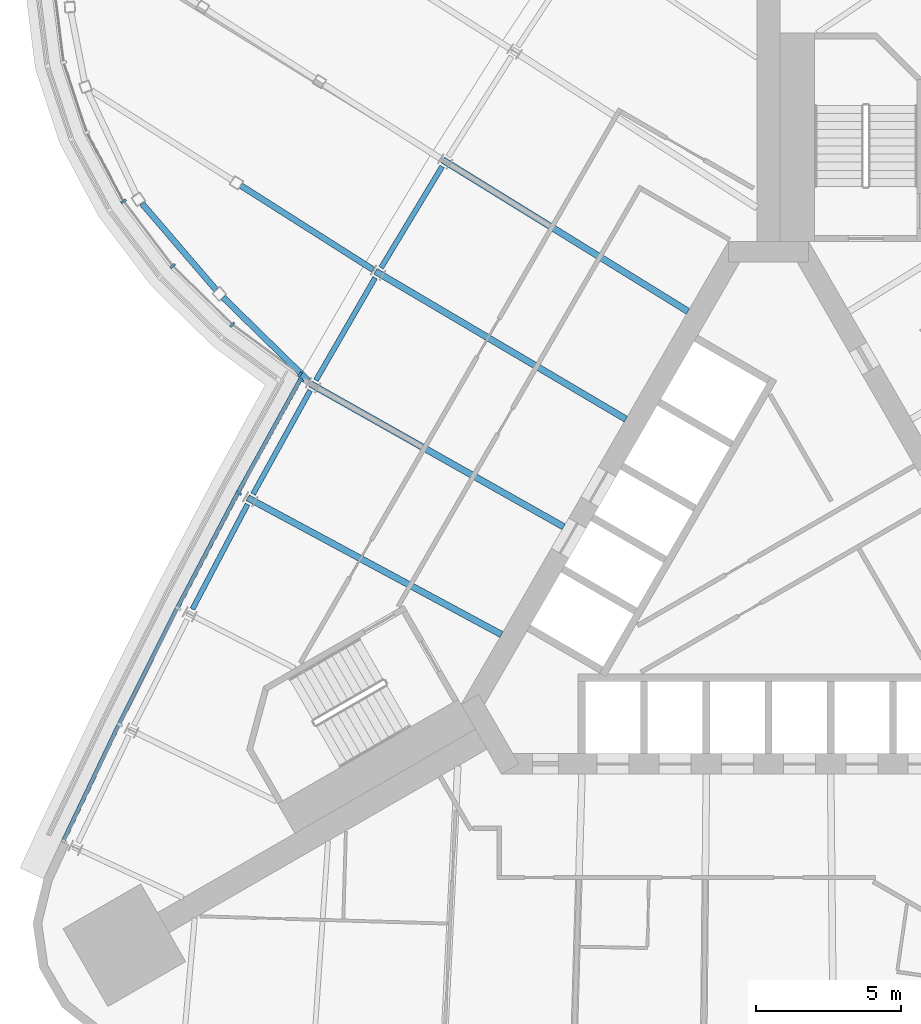
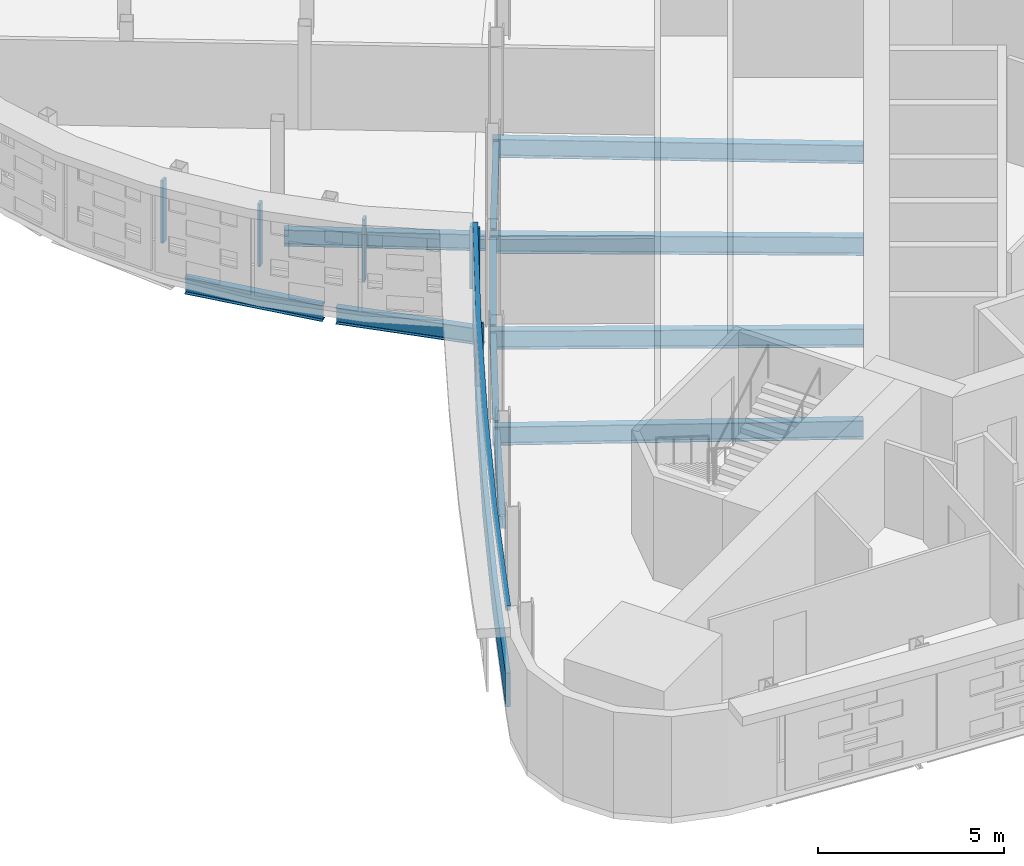
# One storey, part 6 of 17: 11 beams, 8 members, 2 elements without a shape of their own.
"""IFC4 building model written with IfcOpenShell, lengths in metres."""

from ifc_helpers import new_model, si_unit, direction, frame, origin, origin_2d, place, context, subcontext, project, spatial, polyline, rectangle, i_section, outline, extrude, material, material_profile, profile_set, type_object, element, aggregate, save


model = new_model("IFC4")

# Units and contexts
model_context = context("Model", 3, precision=1e-05, world=origin(), true_north=direction((0.0, 1.0)))
body_context = subcontext(model_context, "Body", "Model", "MODEL_VIEW")
ifc_project = project(units=[si_unit("LENGTHUNIT", "METRE"), si_unit("AREAUNIT", "SQUARE_METRE"), si_unit("VOLUMEUNIT", "CUBIC_METRE"), si_unit("PLANEANGLEUNIT", "RADIAN"), si_unit("MASSUNIT", "GRAM", prefix="KILO")], contexts=[model_context])

# Site, building, storey
site_placement = place(None, origin())
site = spatial("IfcSite", under=ifc_project, at=site_placement, CompositionType="ELEMENT")
building_placement = place(site_placement, origin())
building = spatial("IfcBuilding", under=site, at=building_placement, Name="Noor Cloister Tower", CompositionType="ELEMENT")
storey_placement = place(building_placement, frame((0.0, 0.0, 95.10009765625)))
storey = spatial("IfcBuildingStorey", under=building, at=storey_placement, Name="L24", CompositionType="ELEMENT", Elevation=95.10009765625)

# Curtain wall, members
ifc_material_1 = material(Name="Aluminium 6063-T6 anodised", Category="aluminium")
curtain_wall_type_1 = type_object("IfcCurtainWallType", Name="Ribbon curtain wall, lower tower CW1", PredefinedType="NOTDEFINED", material=ifc_material_1)
curtain_wall_1_placement = place(storey_placement, origin())
curtain_wall_1 = element("IfcCurtainWall", 1, at=curtain_wall_1_placement, inside=storey, type_object=curtain_wall_type_1, Name="CW1 L24 NW run 2", PredefinedType="NOTDEFINED")
ifc_material_2 = material(Name="Aluminium 6063-T6 anodised", Category="aluminium")
member_type_1 = type_object("IfcMemberType", Name="Head transom CW1 150", PredefinedType="USERDEFINED", material=ifc_material_2)
member_1_placement = place(storey_placement, frame((0.0, 0.0, 3.14990234375)))
member_1 = element("IfcMember", 2, at=member_1_placement, type_object=member_type_1, Name="CW1 head transom", ObjectType="TRANSOM", PredefinedType="USERDEFINED", context=body_context, shape_type="SweptSolid", body=[
    extrude(outline(polyline([(-16.2080078125, 6.759765625), (-18.380859375, 2.819091796875), (-20.475830078125, -1.16357421875), (-22.49169921875, -5.1865234375), (-24.42822265625, -9.24853515625), (-24.302001953125, -9.30859375), (-22.365966796875, -5.248046875), (-20.35107421875, -1.2275390625), (-18.257568359375, 2.752685546875), (-16.08544921875, 6.692138671875), (-16.2080078125, 6.759765625)])), origin(), (0.0, 0.0, 1.0), 0.14990234375),
])
ifc_material_3 = material(Name="Aluminium 6063-T6 anodised", Category="aluminium")
ifc_material_profile_1 = material_profile(ifc_material_3, rectangle(XDim=0.199951171875, YDim=0.080078125, at=origin_2d()), Name="200 x 80 mullion")
ifc_profile_set_1 = profile_set([ifc_material_profile_1], Name="Aluminium 6063-T6 anodised")
member_type_2 = type_object("IfcMemberType", Name="Mullion CW1 80 x 200", PredefinedType="MULLION", material=ifc_profile_set_1)
member_2_placement = place(storey_placement, frame((-16.139892578125, 6.67626953125, 1.099853515625), z_axis=(0.0, 0.0, 1.0), x_axis=(0.875698643614, -0.482858038737, 0.0)))
member_2 = element("IfcMember", 3, at=member_2_placement, type_object=member_type_2, Name="CW1 mullion 1", PredefinedType="MULLION", context=body_context, shape_type="SweptSolid", body=[
    extrude(rectangle(XDim=0.199951171875, YDim=0.080078125, at=origin_2d()), origin(), (0.0, 0.0, 1.0), 2.050048828125),
])
member_3_placement = place(storey_placement, frame((-18.292724609375, 2.771728515625, 1.099853515625), z_axis=(0.0, 0.0, 1.0), x_axis=(0.880408277748, -0.474216474275, 0.0)))
member_3 = element("IfcMember", 4, at=member_3_placement, type_object=member_type_2, Name="CW1 mullion 2", PredefinedType="MULLION", context=body_context, shape_type="SweptSolid", body=[
    extrude(rectangle(XDim=0.199951171875, YDim=0.080078125, at=origin_2d()), origin(), (0.0, 0.0, 1.0), 2.050048828125),
])

ifc_material_4 = material(Name="Aluminium 6063-T6 anodised", Category="aluminium")
curtain_wall_type_2 = type_object("IfcCurtainWallType", Name="Sky bar curtain wall, lower bars CW2", PredefinedType="NOTDEFINED", material=ifc_material_4)
curtain_wall_2_placement = place(storey_placement, origin())
curtain_wall_2 = element("IfcCurtainWall", 5, at=curtain_wall_2_placement, inside=storey, type_object=curtain_wall_type_2, Name="CW2 L24 NW sky bar run 1", PredefinedType="NOTDEFINED")
ifc_material_5 = material(Name="Aluminium 6063-T6 anodised", Category="aluminium")
ifc_material_profile_2 = material_profile(ifc_material_5, rectangle(XDim=0.199951171875, YDim=0.080078125, at=origin_2d()), Name="200 x 80 mullion")
ifc_profile_set_2 = profile_set([ifc_material_profile_2], Name="Aluminium 6063-T6 anodised")
member_type_3 = type_object("IfcMemberType", Name="Mullion CW2 80 x 200", PredefinedType="MULLION", material=ifc_profile_set_2)
member_4_placement = place(storey_placement, frame((-22.271484375, 12.84375, 1.099853515625), z_axis=(0.0, 0.0, 1.0), x_axis=(0.842174256763, 0.539205453649, 0.0)))
member_4 = element("IfcMember", 6, at=member_4_placement, type_object=member_type_3, Name="CW2 mullion 15", PredefinedType="MULLION", context=body_context, shape_type="SweptSolid", body=[
    extrude(rectangle(XDim=0.199951171875, YDim=0.080078125, at=origin_2d()), origin(), (0.0, 0.0, 1.0), 2.050048828125),
])
member_5_placement = place(storey_placement, frame((-20.57763671875, 10.607666015625, 1.099853515625), z_axis=(0.0, 0.0, 1.0), x_axis=(0.750691888526, 0.660652471804, 0.0)))
member_5 = element("IfcMember", 7, at=member_5_placement, type_object=member_type_3, Name="CW2 mullion 16", PredefinedType="MULLION", context=body_context, shape_type="SweptSolid", body=[
    extrude(rectangle(XDim=0.199951171875, YDim=0.080078125, at=origin_2d()), origin(), (0.0, 0.0, 1.0), 2.050048828125),
])
member_6_placement = place(storey_placement, frame((-18.51513671875, 8.584716796875, 1.099853515625), z_axis=(0.0, 0.0, 1.0), x_axis=(0.648411146888, 0.761290341849, 0.0)))
member_6 = element("IfcMember", 8, at=member_6_placement, type_object=member_type_3, Name="CW2 mullion 17", PredefinedType="MULLION", context=body_context, shape_type="SweptSolid", body=[
    extrude(rectangle(XDim=0.199951171875, YDim=0.080078125, at=origin_2d()), origin(), (0.0, 0.0, 1.0), 2.050048828125),
])
member_7_placement = place(storey_placement, frame((-16.180908203125, 6.864013671875, 1.099853515625), z_axis=(0.0, 0.0, 1.0), x_axis=(0.593401424742, 0.804906671058, 0.0)))
member_7 = element("IfcMember", 9, at=member_7_placement, type_object=member_type_3, Name="CW2 mullion 18", PredefinedType="MULLION", context=body_context, shape_type="SweptSolid", body=[
    extrude(rectangle(XDim=0.199951171875, YDim=0.080078125, at=origin_2d()), origin(), (0.0, 0.0, 1.0), 2.050048828125),
])
aggregate(curtain_wall_2, [member_4, member_5, member_6, member_7])

# Beams
ifc_material_6 = material(Name="Steel ASTM A992 Gr 50", Category="steel")
ifc_material_profile_3 = material_profile(ifc_material_6, i_section(OverallWidth=0.208984375, OverallDepth=0.532958984375, WebThickness=0.01025390625, FlangeThickness=0.015625, FilletRadius=0.0126953125, at=origin_2d()), Name="W530x92")
ifc_profile_set_3 = profile_set([ifc_material_profile_3], Name="Steel ASTM A992 Gr 50")
beam_type_1 = type_object("IfcBeamType", Name="Pod floor beam W530x92", PredefinedType="BEAM", material=ifc_profile_set_3)
beam_1_placement = place(storey_placement, frame((-13.65576171875, 10.48583984375, -0.466552734375), z_axis=(-0.843988413178, 0.536361406535, 0.0), x_axis=(-0.536361406535, -0.843988413178, 0.0)))
element("IfcBeam", 10, at=beam_1_placement, inside=storey, type_object=beam_type_1, Name="Pod floor beam 2 L24 line 5 span 1", PredefinedType="BEAM", context=body_context, shape_type="SweptSolid", body=[
    extrude(i_section(OverallWidth=0.208984375, OverallDepth=0.532958984375, WebThickness=0.01025390625, FlangeThickness=0.015625, FilletRadius=0.0126953125, at=origin_2d()), origin(), (0.0, 0.0, 1.0), 5.409423828125),
])
beam_2_placement = place(storey_placement, frame((-21.6328125, 12.765625, -0.466552734375), z_axis=(0.651308985518, -0.75881262864, 0.0), x_axis=(0.75881262864, 0.651308985518, 0.0)))
element("IfcBeam", 11, at=beam_2_placement, inside=storey, type_object=beam_type_1, Name="Pod floor beam 2 L24 ring 10", PredefinedType="BEAM", context=body_context, shape_type="SweptSolid", body=[
    extrude(i_section(OverallWidth=0.208984375, OverallDepth=0.532958984375, WebThickness=0.01025390625, FlangeThickness=0.015625, FilletRadius=0.0126953125, at=origin_2d()), origin(), (0.0, 0.0, 1.0), 3.922119140625),
])
beam_3_placement = place(storey_placement, frame((-18.828857421875, 9.52294921875, -0.466552734375), z_axis=(0.714711800692, -0.699419074626, 0.0), x_axis=(0.699419074626, 0.714711800692, 0.0)))
element("IfcBeam", 12, at=beam_3_placement, inside=storey, type_object=beam_type_1, Name="Pod floor beam 2 L24 ring 11", PredefinedType="BEAM", context=body_context, shape_type="SweptSolid", body=[
    extrude(i_section(OverallWidth=0.208984375, OverallDepth=0.532958984375, WebThickness=0.01025390625, FlangeThickness=0.015625, FilletRadius=0.0126953125, at=origin_2d()), origin(), (0.0, 0.0, 1.0), 4.102783203125),
])
ifc_material_7 = material(Name="Steel ASTM A992 Gr 50", Category="steel")
ifc_material_profile_4 = material_profile(ifc_material_7, i_section(OverallWidth=0.22802734375, OverallDepth=0.60205078125, WebThickness=0.010498046875, FlangeThickness=0.014892578125, FilletRadius=0.0126953125, at=origin_2d()), Name="W610x101")
ifc_profile_set_4 = profile_set([ifc_material_profile_4], Name="Steel ASTM A992 Gr 50")
beam_type_2 = type_object("IfcBeamType", Name="Radial beam W610x101", PredefinedType="BEAM", material=ifc_profile_set_4)
beam_4_placement = place(storey_placement, frame((-11.249267578125, 14.272705078125, -0.5009765625), z_axis=(0.850881836439, -0.525357117034, 0.0), x_axis=(0.525357117034, 0.850881836439, 0.0)))
element("IfcBeam", 13, at=beam_4_placement, inside=storey, type_object=beam_type_2, Name="Radial beam NW 04 L24", PredefinedType="BEAM", context=body_context, shape_type="SweptSolid", body=[
    extrude(i_section(OverallWidth=0.22802734375, OverallDepth=0.60205078125, WebThickness=0.010498046875, FlangeThickness=0.014892578125, FilletRadius=0.0126953125, at=origin_2d()), origin(), (0.0, 0.0, 1.0), 9.95458984375),
])
for number, where, z_axis, x_axis, name in (
    (14, (-13.571044921875, 10.42822265625, -0.5009765625), (0.86106399039, -0.508496612038, 0.0), (0.508496612038, 0.86106399039, 0.0), "Radial beam NW 05 L24"),
    (15, (-15.816650390625, 6.538818359375, -0.5009765625), (0.870901874431, -0.491456941259, 0.0), (0.491456941259, 0.870901874431, 0.0), "Radial beam NW 06 L24"),
):
    element("IfcBeam", number, at=place(storey_placement, frame(where, z_axis=z_axis, x_axis=x_axis)), inside=storey, type_object=beam_type_2, Name=name, PredefinedType="BEAM", context=body_context, shape_type="SweptSolid", body=[
        extrude(i_section(OverallWidth=0.22802734375, OverallDepth=0.60205078125, WebThickness=0.010498046875, FlangeThickness=0.014892578125, FilletRadius=0.0126953125, at=origin_2d()), origin(), (0.0, 0.0, 1.0), 10.039306640625),
    ])
beam_5_placement = place(storey_placement, frame((-17.985107421875, 2.60595703125, -0.5009765625), z_axis=(0.880406516163, -0.474219744736, 0.0), x_axis=(0.474219744736, 0.880406516163, 0.0)))
element("IfcBeam", 16, at=beam_5_placement, inside=storey, type_object=beam_type_2, Name="Radial beam NW 07 L24", PredefinedType="BEAM", context=body_context, shape_type="SweptSolid", body=[
    extrude(i_section(OverallWidth=0.22802734375, OverallDepth=0.60205078125, WebThickness=0.010498046875, FlangeThickness=0.014892578125, FilletRadius=0.0126953125, at=origin_2d()), origin(), (0.0, 0.0, 1.0), 9.95458984375),
])

# Member
ifc_material_8 = material(Name="Aluminium 6063-T6 anodised", Category="aluminium")
member_type_4 = type_object("IfcMemberType", Name="Sill transom CW1 1100", PredefinedType="USERDEFINED", material=ifc_material_8)
member_8_placement = place(storey_placement, origin())
member_8 = element("IfcMember", 17, at=member_8_placement, type_object=member_type_4, Name="CW1 sill transom", ObjectType="TRANSOM", PredefinedType="USERDEFINED", context=body_context, shape_type="SweptSolid", body=[
    extrude(outline(polyline([(-16.2080078125, 6.759765625), (-18.380859375, 2.819091796875), (-20.475830078125, -1.16357421875), (-22.49169921875, -5.1865234375), (-24.42822265625, -9.24853515625), (-24.302001953125, -9.30859375), (-22.365966796875, -5.248046875), (-20.35107421875, -1.2275390625), (-18.257568359375, 2.752685546875), (-16.08544921875, 6.692138671875), (-16.2080078125, 6.759765625)])), origin(), (0.0, 0.0, 1.0), 1.099853515625),
])

aggregate(curtain_wall_1, [member_2, member_3, member_8, member_1])

# Beams
ifc_material_9 = material(Name="Steel ASTM A992 Gr 50", Category="steel")
ifc_material_profile_5 = material_profile(ifc_material_9, i_section(OverallWidth=0.177978515625, OverallDepth=0.406005859375, WebThickness=0.0078125, FlangeThickness=0.0126953125, FilletRadius=0.01025390625, at=origin_2d()), Name="W410x60")
ifc_profile_set_5 = profile_set([ifc_material_profile_5], Name="Steel ASTM A992 Gr 50")
beam_type_3 = type_object("IfcBeamType", Name="Spandrel beam W410x60", PredefinedType="SPANDREL", material=ifc_profile_set_5)
for number, where, z_axis, x_axis, name in (
    (18, (-11.267578125, 14.048095703125, -0.403076171875), (-0.516935158604, -0.856024556773, 0.0), (0.856024556773, -0.516935158604, 0.0), "Spandrel beam NW 04 L24"),
    (19, (-13.584716796875, 10.203369140625, -0.403076171875), (-0.500037791097, -0.866003583985, 0.0), (0.866003583985, -0.500037791097, 0.0), "Spandrel beam NW 05 L24"),
):
    element("IfcBeam", number, at=place(storey_placement, frame(where, z_axis=z_axis, x_axis=x_axis)), inside=storey, type_object=beam_type_3, Name=name, PredefinedType="SPANDREL", context=body_context, shape_type="SweptSolid", body=[
        extrude(i_section(OverallWidth=0.177978515625, OverallDepth=0.406005859375, WebThickness=0.0078125, FlangeThickness=0.0126953125, FilletRadius=0.01025390625, at=origin_2d()), origin(), (0.0, 0.0, 1.0), 4.088134765625),
    ])
beam_6_placement = place(storey_placement, frame((-15.825927734375, 6.313720703125, -0.403076171875), z_axis=(-0.482851559561, -0.875702216184, 0.0), x_axis=(0.875702216184, -0.482851559561, 0.0)))
element("IfcBeam", 20, at=beam_6_placement, inside=storey, type_object=beam_type_3, Name="Spandrel beam NW 06 L24", PredefinedType="SPANDREL", context=body_context, shape_type="SweptSolid", body=[
    extrude(i_section(OverallWidth=0.177978515625, OverallDepth=0.406005859375, WebThickness=0.0078125, FlangeThickness=0.0126953125, FilletRadius=0.01025390625, at=origin_2d()), origin(), (0.0, 0.0, 1.0), 4.087890625),
])
beam_7_placement = place(storey_placement, frame((-17.989990234375, 2.380859375, -0.403076171875), z_axis=(-0.465512591223, -0.885041257464, 0.0), x_axis=(0.885041257464, -0.465512591223, 0.0)))
element("IfcBeam", 21, at=beam_7_placement, inside=storey, type_object=beam_type_3, Name="Spandrel beam NW 07 L24", PredefinedType="SPANDREL", context=body_context, shape_type="SweptSolid", body=[
    extrude(i_section(OverallWidth=0.177978515625, OverallDepth=0.406005859375, WebThickness=0.0078125, FlangeThickness=0.0126953125, FilletRadius=0.01025390625, at=origin_2d()), origin(), (0.0, 0.0, 1.0), 4.088134765625),
])

save(model, "model.ifc")
